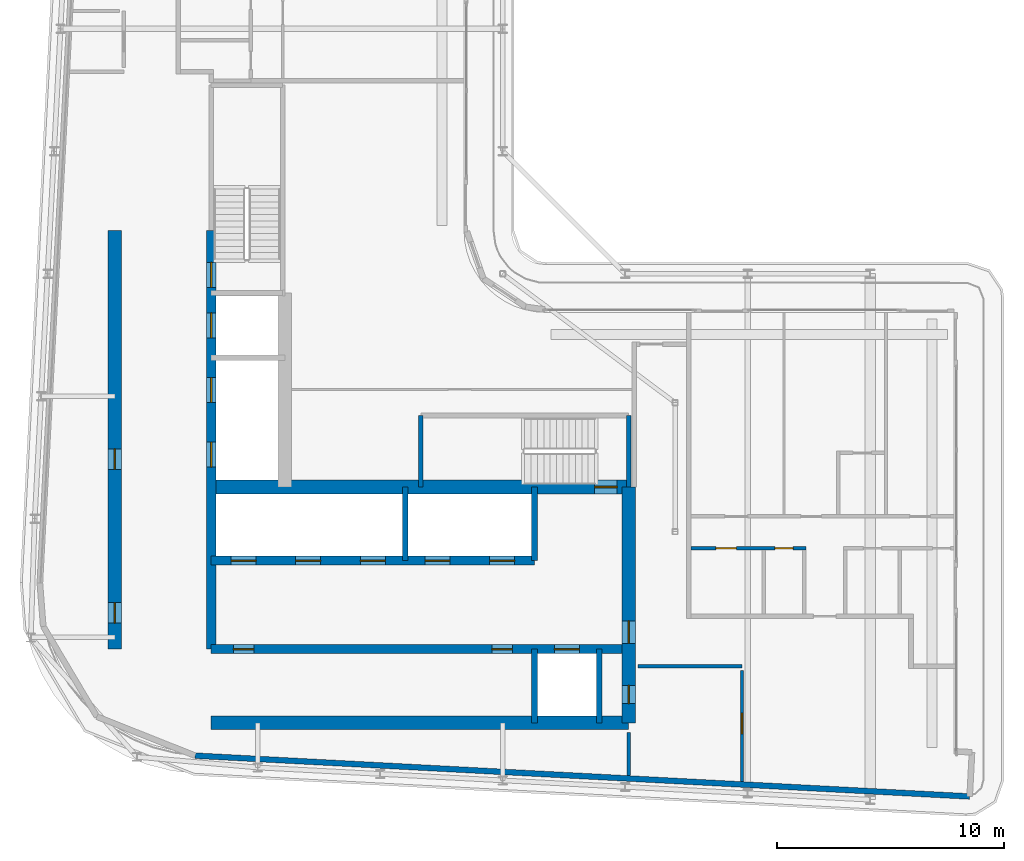
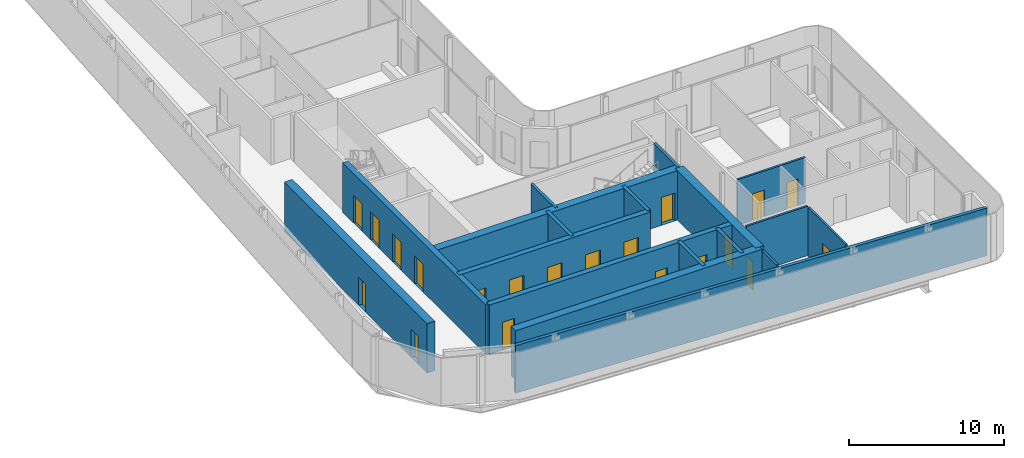
# One storey, part 11 of 21: 20 doors, 18 walls, 20 openings.
"""IFC4 building model written with IfcOpenShell, lengths in metres."""

from ifc_helpers import new_model, si_unit, direction, frame, frame_2d, origin, place, context, subcontext, project, spatial, rectangle, extrude, source, transform, mapped, material, layer, layer_set, type_object, element, fill, save


model = new_model("IFC4")

# Units and contexts
model_context = context("Model", 3, precision=1e-05, world=origin(), true_north=direction((0.0, 1.0)))
body_context = subcontext(model_context, "Body", "Model", "MODEL_VIEW")
ifc_project = project(units=[si_unit("LENGTHUNIT", "METRE"), si_unit("AREAUNIT", "SQUARE_METRE"), si_unit("VOLUMEUNIT", "CUBIC_METRE"), si_unit("PLANEANGLEUNIT", "RADIAN"), si_unit("MASSUNIT", "GRAM", prefix="KILO")], contexts=[model_context])

# Site, building, storey
site_placement = place(None, origin())
site = spatial("IfcSite", under=ifc_project, at=site_placement, CompositionType="ELEMENT")
building_placement = place(site_placement, origin())
building = spatial("IfcBuilding", under=site, at=building_placement, Name="Kheshtan School and Residences Tower", CompositionType="ELEMENT")
storey_placement = place(building_placement, frame((0.0, 0.0, 290.300048828125)))
storey = spatial("IfcBuildingStorey", under=building, at=storey_placement, Name="L68", CompositionType="ELEMENT", Elevation=290.300048828125)

# Wall, openings, doors
ifc_material_1 = material(Name="Concrete C50/60", Category="concrete")
ifc_layer_1 = layer(ifc_material_1, 0.39990234375)
ifc_layer_set_1 = layer_set([ifc_layer_1], Name="Core wall 400 Concrete C50/60")
wall_type_1 = type_object("IfcWallType", Name="Core wall 400 Concrete C50/60", PredefinedType="SHEAR", material=ifc_layer_set_1)
wall_1_placement = place(storey_placement, frame((34.75, 29.050048828125, 0.0), z_axis=(0.0, 0.0, 1.0), x_axis=(1.0, 0.0, 0.0)))
wall_1 = element("IfcWall", 1, at=wall_1_placement, inside=storey, type_object=wall_type_1, Name="Core wall CW-HALL-S1", PredefinedType="SHEAR", context=body_context, shape_type="SweptSolid", body=[
    extrude(rectangle(XDim=18.39990234375, YDim=0.39990234375, at=frame_2d((9.199951171875, 0.0))), origin(), (0.0, 0.0, 1.0), 3.89990234375),
])
opening_1_placement = place(wall_1_placement, frame((15.125, 0.0, 0.0)))
opening_1 = element("IfcOpeningElement", 2, at=opening_1_placement, cuts=wall_1, Name="Opening LD", PredefinedType="OPENING", context=body_context, shape_type="SweptSolid", body=[
    extrude(rectangle(XDim=1.10009765625, YDim=2.199951171875, at=frame_2d((0.550048828125, 1.10009765625))), frame((0.0, 0.2099609375, 0.0), z_axis=(0.0, -1.0, 0.0), x_axis=(1.0, 0.0, 0.0)), (0.0, 0.0, 1.0), 0.419921875),
])
opening_2_placement = place(wall_1_placement, frame((0.97509765625, 0.0, 0.0)))
opening_2 = element("IfcOpeningElement", 3, at=opening_2_placement, cuts=wall_1, Name="Opening SR90", PredefinedType="OPENING", context=body_context, shape_type="SweptSolid", body=[
    extrude(rectangle(XDim=0.89990234375, YDim=2.199951171875, at=frame_2d((0.449951171875, 1.10009765625))), frame((0.0, 0.2099609375, 0.0), z_axis=(0.0, -1.0, 0.0), x_axis=(1.0, 0.0, 0.0)), (0.0, 0.0, 1.0), 0.419921875),
])
opening_3_placement = place(wall_1_placement, frame((12.375, 0.0, 0.0)))
opening_3 = element("IfcOpeningElement", 4, at=opening_3_placement, cuts=wall_1, Name="Opening SR90", PredefinedType="OPENING", context=body_context, shape_type="SweptSolid", body=[
    extrude(rectangle(XDim=0.89990234375, YDim=2.199951171875, at=frame_2d((0.449951171875, 1.10009765625))), frame((0.0, 0.2099609375, 0.0), z_axis=(0.0, -1.0, 0.0), x_axis=(1.0, 0.0, 0.0)), (0.0, 0.0, 1.0), 0.419921875),
])
ifc_material_2 = material(Name="Stainless steel door leaves", Category="steel")
door_type_1 = type_object("IfcDoorType", Name="Lift landing door 1100", OperationType="SLIDING_TO_LEFT", PredefinedType="DOOR", material=ifc_material_2)
shared_shape_1 = source(origin(), body_context, "Body", "SweptSolid", [
    extrude(rectangle(XDim=1.10009765625, YDim=2.199951171875, at=frame_2d((0.550048828125, 1.10009765625))), frame((0.0, 0.02490234375, 0.0), z_axis=(0.0, -1.0, 0.0), x_axis=(1.0, 0.0, 0.0)), (0.0, 0.0, 1.0), 0.050048828125),
])
door_1_placement = place(opening_1_placement, origin())
door_1 = element("IfcDoor", 5, at=door_1_placement, inside=storey, type_object=door_type_1, Name="Lift FFL2 landing door", OperationType="SLIDING_TO_LEFT", OverallHeight=2.199951171875, OverallWidth=1.10009765625, PredefinedType="DOOR", context=body_context, shape_type="MappedRepresentation", body=[
    mapped(shared_shape_1, transform((0.0, 0.0, 0.0), x_axis=(1.0, 0.0, 0.0), y_axis=(0.0, 1.0, 0.0), z_axis=(0.0, 0.0, 1.0), scale=1.0)),
])
fill(opening_1, door_1)
ifc_material_3 = material(Name="Steel door leaf, galvanised", Category="steel")
door_type_2 = type_object("IfcDoorType", Name="Service room door 900 steel 90 min", OperationType="SINGLE_SWING_LEFT", PredefinedType="DOOR", material=ifc_material_3)
shared_shape_2 = source(origin(), body_context, "Body", "SweptSolid", [
    extrude(rectangle(XDim=0.89990234375, YDim=2.199951171875, at=frame_2d((0.449951171875, 1.10009765625))), frame((0.0, 0.02490234375, 0.0), z_axis=(0.0, -1.0, 0.0), x_axis=(1.0, 0.0, 0.0)), (0.0, 0.0, 1.0), 0.050048828125),
])
door_2_placement = place(opening_2_placement, origin())
door_2 = element("IfcDoor", 6, at=door_2_placement, inside=storey, type_object=door_type_2, Name="Service room door", OperationType="SINGLE_SWING_LEFT", OverallHeight=2.199951171875, OverallWidth=0.89990234375, PredefinedType="DOOR", context=body_context, shape_type="MappedRepresentation", body=[
    mapped(shared_shape_2, transform((0.0, 0.0, 0.0), x_axis=(1.0, 0.0, 0.0), y_axis=(0.0, 1.0, 0.0), z_axis=(0.0, 0.0, 1.0), scale=1.0)),
])
fill(opening_2, door_2)
door_3_placement = place(opening_3_placement, origin())
door_3 = element("IfcDoor", 7, at=door_3_placement, inside=storey, type_object=door_type_2, Name="Service room door", OperationType="SINGLE_SWING_LEFT", OverallHeight=2.199951171875, OverallWidth=0.89990234375, PredefinedType="DOOR", context=body_context, shape_type="MappedRepresentation", body=[
    mapped(shared_shape_2, transform((0.0, 0.0, 0.0), x_axis=(1.0, 0.0, 0.0), y_axis=(0.0, 1.0, 0.0), z_axis=(0.0, 0.0, 1.0), scale=1.0)),
])
fill(opening_3, door_3)

wall_2_placement = place(storey_placement, frame((34.75, 32.949951171875, 0.0), z_axis=(0.0, 0.0, 1.0), x_axis=(1.0, 0.0, 0.0)))
wall_2 = element("IfcWall", 8, at=wall_2_placement, inside=storey, type_object=wall_type_1, Name="Core wall CW-HALL-S2", PredefinedType="SHEAR", context=body_context, shape_type="SweptSolid", body=[
    extrude(rectangle(XDim=14.25, YDim=0.39990234375, at=frame_2d((7.125, 0.0))), origin(), (0.0, 0.0, 1.0), 3.89990234375),
])
opening_4_placement = place(wall_2_placement, frame((0.875, 0.0, 0.0)))
opening_4 = element("IfcOpeningElement", 9, at=opening_4_placement, cuts=wall_2, Name="Opening LD", PredefinedType="OPENING", context=body_context, shape_type="SweptSolid", body=[
    extrude(rectangle(XDim=1.10009765625, YDim=2.199951171875, at=frame_2d((0.550048828125, 1.10009765625))), frame((0.0, 0.2099609375, 0.0), z_axis=(0.0, -1.0, 0.0), x_axis=(1.0, 0.0, 0.0)), (0.0, 0.0, 1.0), 0.419921875),
])
opening_5_placement = place(wall_2_placement, frame((3.72509765625, 0.0, 0.0)))
opening_5 = element("IfcOpeningElement", 10, at=opening_5_placement, cuts=wall_2, Name="Opening LD", PredefinedType="OPENING", context=body_context, shape_type="SweptSolid", body=[
    extrude(rectangle(XDim=1.10009765625, YDim=2.199951171875, at=frame_2d((0.550048828125, 1.10009765625))), frame((0.0, 0.2099609375, 0.0), z_axis=(0.0, -1.0, 0.0), x_axis=(1.0, 0.0, 0.0)), (0.0, 0.0, 1.0), 0.419921875),
])
opening_6_placement = place(wall_2_placement, frame((6.574951171875, 0.0, 0.0)))
opening_6 = element("IfcOpeningElement", 11, at=opening_6_placement, cuts=wall_2, Name="Opening LD", PredefinedType="OPENING", context=body_context, shape_type="SweptSolid", body=[
    extrude(rectangle(XDim=1.10009765625, YDim=2.199951171875, at=frame_2d((0.550048828125, 1.10009765625))), frame((0.0, 0.2099609375, 0.0), z_axis=(0.0, -1.0, 0.0), x_axis=(1.0, 0.0, 0.0)), (0.0, 0.0, 1.0), 0.419921875),
])
opening_7_placement = place(wall_2_placement, frame((9.425048828125, 0.0, 0.0)))
opening_7 = element("IfcOpeningElement", 12, at=opening_7_placement, cuts=wall_2, Name="Opening LD", PredefinedType="OPENING", context=body_context, shape_type="SweptSolid", body=[
    extrude(rectangle(XDim=1.10009765625, YDim=2.199951171875, at=frame_2d((0.550048828125, 1.10009765625))), frame((0.0, 0.2099609375, 0.0), z_axis=(0.0, -1.0, 0.0), x_axis=(1.0, 0.0, 0.0)), (0.0, 0.0, 1.0), 0.419921875),
])
opening_8_placement = place(wall_2_placement, frame((12.27490234375, 0.0, 0.0)))
opening_8 = element("IfcOpeningElement", 13, at=opening_8_placement, cuts=wall_2, Name="Opening LD", PredefinedType="OPENING", context=body_context, shape_type="SweptSolid", body=[
    extrude(rectangle(XDim=1.10009765625, YDim=2.199951171875, at=frame_2d((0.550048828125, 1.10009765625))), frame((0.0, 0.2099609375, 0.0), z_axis=(0.0, -1.0, 0.0), x_axis=(1.0, 0.0, 0.0)), (0.0, 0.0, 1.0), 0.419921875),
])
door_4_placement = place(opening_4_placement, origin())
door_4 = element("IfcDoor", 14, at=door_4_placement, inside=storey, type_object=door_type_1, Name="Lift P12 landing door", OperationType="SLIDING_TO_LEFT", OverallHeight=2.199951171875, OverallWidth=1.10009765625, PredefinedType="DOOR", context=body_context, shape_type="MappedRepresentation", body=[
    mapped(shared_shape_1, transform((0.0, 0.0, 0.0), x_axis=(1.0, 0.0, 0.0), y_axis=(0.0, 1.0, 0.0), z_axis=(0.0, 0.0, 1.0), scale=1.0)),
])
fill(opening_4, door_4)
door_5_placement = place(opening_5_placement, origin())
door_5 = element("IfcDoor", 15, at=door_5_placement, inside=storey, type_object=door_type_1, Name="Lift P13 landing door", OperationType="SLIDING_TO_LEFT", OverallHeight=2.199951171875, OverallWidth=1.10009765625, PredefinedType="DOOR", context=body_context, shape_type="MappedRepresentation", body=[
    mapped(shared_shape_1, transform((0.0, 0.0, 0.0), x_axis=(1.0, 0.0, 0.0), y_axis=(0.0, 1.0, 0.0), z_axis=(0.0, 0.0, 1.0), scale=1.0)),
])
fill(opening_5, door_5)
door_6_placement = place(opening_6_placement, origin())
door_6 = element("IfcDoor", 16, at=door_6_placement, inside=storey, type_object=door_type_1, Name="Lift P14 landing door", OperationType="SLIDING_TO_LEFT", OverallHeight=2.199951171875, OverallWidth=1.10009765625, PredefinedType="DOOR", context=body_context, shape_type="MappedRepresentation", body=[
    mapped(shared_shape_1, transform((0.0, 0.0, 0.0), x_axis=(1.0, 0.0, 0.0), y_axis=(0.0, 1.0, 0.0), z_axis=(0.0, 0.0, 1.0), scale=1.0)),
])
fill(opening_6, door_6)
door_7_placement = place(opening_7_placement, origin())
door_7 = element("IfcDoor", 17, at=door_7_placement, inside=storey, type_object=door_type_1, Name="Lift P15 landing door", OperationType="SLIDING_TO_LEFT", OverallHeight=2.199951171875, OverallWidth=1.10009765625, PredefinedType="DOOR", context=body_context, shape_type="MappedRepresentation", body=[
    mapped(shared_shape_1, transform((0.0, 0.0, 0.0), x_axis=(1.0, 0.0, 0.0), y_axis=(0.0, 1.0, 0.0), z_axis=(0.0, 0.0, 1.0), scale=1.0)),
])
fill(opening_7, door_7)
door_8_placement = place(opening_8_placement, origin())
door_8 = element("IfcDoor", 18, at=door_8_placement, inside=storey, type_object=door_type_1, Name="Lift P16 landing door", OperationType="SLIDING_TO_LEFT", OverallHeight=2.199951171875, OverallWidth=1.10009765625, PredefinedType="DOOR", context=body_context, shape_type="MappedRepresentation", body=[
    mapped(shared_shape_1, transform((0.0, 0.0, 0.0), x_axis=(1.0, 0.0, 0.0), y_axis=(0.0, 1.0, 0.0), z_axis=(0.0, 0.0, 1.0), scale=1.0)),
])
fill(opening_8, door_8)

wall_3_placement = place(storey_placement, frame((34.75, 29.050048828125, 0.0), z_axis=(0.0, 0.0, 1.0), x_axis=(0.0, 1.0, 0.0)))
wall_3 = element("IfcWall", 19, at=wall_3_placement, inside=storey, type_object=wall_type_1, Name="Core wall CW-HALL-W1", PredefinedType="SHEAR", context=body_context, shape_type="SweptSolid", body=[
    extrude(rectangle(XDim=18.449951171875, YDim=0.39990234375, at=frame_2d((9.22509765625, 0.0))), origin(), (0.0, 0.0, 1.0), 3.89990234375),
])
opening_9_placement = place(wall_3_placement, frame((8.02490234375, 0.0, 0.0)))
opening_9 = element("IfcOpeningElement", 20, at=opening_9_placement, cuts=wall_3, Name="Opening LD", PredefinedType="OPENING", context=body_context, shape_type="SweptSolid", body=[
    extrude(rectangle(XDim=1.10009765625, YDim=2.199951171875, at=frame_2d((0.550048828125, 1.10009765625))), frame((0.0, 0.2099609375, 0.0), z_axis=(0.0, -1.0, 0.0), x_axis=(1.0, 0.0, 0.0)), (0.0, 0.0, 1.0), 0.419921875),
])
opening_10_placement = place(wall_3_placement, frame((10.875, 0.0, 0.0)))
opening_10 = element("IfcOpeningElement", 21, at=opening_10_placement, cuts=wall_3, Name="Opening LD", PredefinedType="OPENING", context=body_context, shape_type="SweptSolid", body=[
    extrude(rectangle(XDim=1.10009765625, YDim=2.199951171875, at=frame_2d((0.550048828125, 1.10009765625))), frame((0.0, 0.2099609375, 0.0), z_axis=(0.0, -1.0, 0.0), x_axis=(1.0, 0.0, 0.0)), (0.0, 0.0, 1.0), 0.419921875),
])
opening_11_placement = place(wall_3_placement, frame((13.72509765625, 0.0, 0.0)))
opening_11 = element("IfcOpeningElement", 22, at=opening_11_placement, cuts=wall_3, Name="Opening LD", PredefinedType="OPENING", context=body_context, shape_type="SweptSolid", body=[
    extrude(rectangle(XDim=1.10009765625, YDim=2.199951171875, at=frame_2d((0.550048828125, 1.10009765625))), frame((0.0, 0.2099609375, 0.0), z_axis=(0.0, -1.0, 0.0), x_axis=(1.0, 0.0, 0.0)), (0.0, 0.0, 1.0), 0.419921875),
])
opening_12_placement = place(wall_3_placement, frame((15.949951171875, 0.0, 0.0)))
opening_12 = element("IfcOpeningElement", 23, at=opening_12_placement, cuts=wall_3, Name="Opening ST2D", PredefinedType="OPENING", context=body_context, shape_type="SweptSolid", body=[
    extrude(rectangle(XDim=1.10009765625, YDim=2.199951171875, at=frame_2d((0.550048828125, 1.10009765625))), frame((0.0, 0.2099609375, 0.0), z_axis=(0.0, -1.0, 0.0), x_axis=(1.0, 0.0, 0.0)), (0.0, 0.0, 1.0), 0.419921875),
])
door_9_placement = place(opening_9_placement, origin())
door_9 = element("IfcDoor", 24, at=door_9_placement, inside=storey, type_object=door_type_1, Name="Lift SV1 landing door", OperationType="SLIDING_TO_LEFT", OverallHeight=2.199951171875, OverallWidth=1.10009765625, PredefinedType="DOOR", context=body_context, shape_type="MappedRepresentation", body=[
    mapped(shared_shape_1, transform((0.0, 0.0, 0.0), x_axis=(1.0, 0.0, 0.0), y_axis=(0.0, 1.0, 0.0), z_axis=(0.0, 0.0, 1.0), scale=1.0)),
])
fill(opening_9, door_9)
door_10_placement = place(opening_10_placement, origin())
door_10 = element("IfcDoor", 25, at=door_10_placement, inside=storey, type_object=door_type_1, Name="Lift SV2 landing door", OperationType="SLIDING_TO_LEFT", OverallHeight=2.199951171875, OverallWidth=1.10009765625, PredefinedType="DOOR", context=body_context, shape_type="MappedRepresentation", body=[
    mapped(shared_shape_1, transform((0.0, 0.0, 0.0), x_axis=(1.0, 0.0, 0.0), y_axis=(0.0, 1.0, 0.0), z_axis=(0.0, 0.0, 1.0), scale=1.0)),
])
fill(opening_10, door_10)
door_11_placement = place(opening_11_placement, origin())
door_11 = element("IfcDoor", 26, at=door_11_placement, inside=storey, type_object=door_type_1, Name="Lift FFL1 landing door", OperationType="SLIDING_TO_LEFT", OverallHeight=2.199951171875, OverallWidth=1.10009765625, PredefinedType="DOOR", context=body_context, shape_type="MappedRepresentation", body=[
    mapped(shared_shape_1, transform((0.0, 0.0, 0.0), x_axis=(1.0, 0.0, 0.0), y_axis=(0.0, 1.0, 0.0), z_axis=(0.0, 0.0, 1.0), scale=1.0)),
])
fill(opening_11, door_11)
door_type_3 = type_object("IfcDoorType", Name="Stair door 1100 steel 90 min", OperationType="SINGLE_SWING_LEFT", PredefinedType="DOOR", material=ifc_material_3)
shared_shape_3 = source(origin(), body_context, "Body", "SweptSolid", [
    extrude(rectangle(XDim=1.10009765625, YDim=2.199951171875, at=frame_2d((0.550048828125, 1.10009765625))), frame((0.0, 0.02490234375, 0.0), z_axis=(0.0, -1.0, 0.0), x_axis=(1.0, 0.0, 0.0)), (0.0, 0.0, 1.0), 0.050048828125),
])
door_12_placement = place(opening_12_placement, origin())
door_12 = element("IfcDoor", 27, at=door_12_placement, inside=storey, type_object=door_type_3, Name="Stair ST2 door", OperationType="SINGLE_SWING_RIGHT", OverallHeight=2.199951171875, OverallWidth=1.10009765625, PredefinedType="DOOR", context=body_context, shape_type="MappedRepresentation", body=[
    mapped(shared_shape_3, transform((0.0, 0.0, 0.0), x_axis=(1.0, 0.0, 0.0), y_axis=(0.0, 1.0, 0.0), z_axis=(0.0, 0.0, 1.0), scale=1.0)),
])
fill(opening_12, door_12)

# Wall
ifc_material_4 = material(Name="Concrete C60/75", Category="concrete")
ifc_layer_2 = layer(ifc_material_4, 0.60009765625)
ifc_layer_set_2 = layer_set([ifc_layer_2], Name="Core wall 600 Concrete C60/75")
wall_type_2 = type_object("IfcWallType", Name="Core wall 600 Concrete C60/75", PredefinedType="SHEAR", material=ifc_layer_set_2)
wall_4_placement = place(storey_placement, frame((34.75, 25.800048828125, 0.0), z_axis=(0.0, 0.0, 1.0), x_axis=(1.0, 0.0, 0.0)))
element("IfcWall", 28, at=wall_4_placement, inside=storey, type_object=wall_type_2, Name="Core wall CW-REAR-S", PredefinedType="SHEAR", context=body_context, shape_type="SweptSolid", body=[
    extrude(rectangle(XDim=18.39990234375, YDim=0.60009765625, at=frame_2d((9.199951171875, 0.0))), origin(), (0.0, 0.0, 1.0), 3.89990234375),
])

# Wall, opening, door
wall_5_placement = place(storey_placement, frame((34.75, 36.199951171875, 0.0), z_axis=(0.0, 0.0, 1.0), x_axis=(1.0, 0.0, 0.0)))
wall_5 = element("IfcWall", 29, at=wall_5_placement, inside=storey, type_object=wall_type_2, Name="Core wall CW-FRONT-S", PredefinedType="SHEAR", context=body_context, shape_type="SweptSolid", body=[
    extrude(rectangle(XDim=18.39990234375, YDim=0.60009765625, at=frame_2d((9.199951171875, 0.0))), origin(), (0.0, 0.0, 1.0), 3.89990234375),
])
opening_13_placement = place(wall_5_placement, frame((16.89990234375, 0.0, 0.0)))
opening_13 = element("IfcOpeningElement", 30, at=opening_13_placement, cuts=wall_5, Name="Opening ST1D", PredefinedType="OPENING", context=body_context, shape_type="SweptSolid", body=[
    extrude(rectangle(XDim=1.0, YDim=2.199951171875, at=frame_2d((0.5, 1.10009765625))), frame((0.0, 0.31005859375, 0.0), z_axis=(0.0, -1.0, 0.0), x_axis=(1.0, 0.0, 0.0)), (0.0, 0.0, 1.0), 0.6201171875),
])
shared_shape_4 = source(origin(), body_context, "Body", "SweptSolid", [
    extrude(rectangle(XDim=1.0, YDim=2.199951171875, at=frame_2d((0.5, 1.10009765625))), frame((0.0, 0.02490234375, 0.0), z_axis=(0.0, -1.0, 0.0), x_axis=(1.0, 0.0, 0.0)), (0.0, 0.0, 1.0), 0.050048828125),
])
door_13_placement = place(opening_13_placement, origin())
door_13 = element("IfcDoor", 31, at=door_13_placement, inside=storey, type_object=door_type_3, Name="Stair ST1 door", OperationType="SINGLE_SWING_RIGHT", OverallHeight=2.199951171875, OverallWidth=1.0, PredefinedType="DOOR", context=body_context, shape_type="MappedRepresentation", body=[
    mapped(shared_shape_4, transform((0.0, 0.0, 0.0), x_axis=(1.0, 0.0, 0.0), y_axis=(0.0, 1.0, 0.0), z_axis=(0.0, 0.0, 1.0), scale=1.0)),
])
fill(opening_13, door_13)

# Wall, openings, doors
wall_6_placement = place(storey_placement, frame((30.5, 29.050048828125, 0.0), z_axis=(0.0, 0.0, 1.0), x_axis=(0.0, 1.0, 0.0)))
wall_6 = element("IfcWall", 32, at=wall_6_placement, inside=storey, type_object=wall_type_2, Name="Core wall CW-REAR-W", PredefinedType="SHEAR", context=body_context, shape_type="SweptSolid", body=[
    extrude(rectangle(XDim=18.449951171875, YDim=0.60009765625, at=frame_2d((9.22509765625, 0.0))), origin(), (0.0, 0.0, 1.0), 3.89990234375),
])
opening_14_placement = place(wall_6_placement, frame((1.14697265625, 0.0, 0.0)))
opening_14 = element("IfcOpeningElement", 33, at=opening_14_placement, cuts=wall_6, Name="Opening SR90", PredefinedType="OPENING", context=body_context, shape_type="SweptSolid", body=[
    extrude(rectangle(XDim=0.89990234375, YDim=2.199951171875, at=frame_2d((0.449951171875, 1.10009765625))), frame((0.0, 0.31005859375, 0.0), z_axis=(0.0, -1.0, 0.0), x_axis=(1.0, 0.0, 0.0)), (0.0, 0.0, 1.0), 0.6201171875),
])
opening_15_placement = place(wall_6_placement, frame((7.925048828125, 0.0, 0.0)))
opening_15 = element("IfcOpeningElement", 34, at=opening_15_placement, cuts=wall_6, Name="Opening SR90", PredefinedType="OPENING", context=body_context, shape_type="SweptSolid", body=[
    extrude(rectangle(XDim=0.89990234375, YDim=2.199951171875, at=frame_2d((0.449951171875, 1.10009765625))), frame((0.0, 0.31005859375, 0.0), z_axis=(0.0, -1.0, 0.0), x_axis=(1.0, 0.0, 0.0)), (0.0, 0.0, 1.0), 0.6201171875),
])
door_14_placement = place(opening_14_placement, origin())
door_14 = element("IfcDoor", 35, at=door_14_placement, inside=storey, type_object=door_type_2, Name="Service room door", OperationType="SINGLE_SWING_LEFT", OverallHeight=2.199951171875, OverallWidth=0.89990234375, PredefinedType="DOOR", context=body_context, shape_type="MappedRepresentation", body=[
    mapped(shared_shape_2, transform((0.0, 0.0, 0.0), x_axis=(1.0, 0.0, 0.0), y_axis=(0.0, 1.0, 0.0), z_axis=(0.0, 0.0, 1.0), scale=1.0)),
])
fill(opening_14, door_14)
door_15_placement = place(opening_15_placement, origin())
door_15 = element("IfcDoor", 36, at=door_15_placement, inside=storey, type_object=door_type_2, Name="Service room door", OperationType="SINGLE_SWING_LEFT", OverallHeight=2.199951171875, OverallWidth=0.89990234375, PredefinedType="DOOR", context=body_context, shape_type="MappedRepresentation", body=[
    mapped(shared_shape_2, transform((0.0, 0.0, 0.0), x_axis=(1.0, 0.0, 0.0), y_axis=(0.0, 1.0, 0.0), z_axis=(0.0, 0.0, 1.0), scale=1.0)),
])
fill(opening_15, door_15)

wall_7_placement = place(storey_placement, frame((53.14990234375, 25.800048828125, 0.0), z_axis=(0.0, 0.0, 1.0), x_axis=(0.0, 1.0, 0.0)))
wall_7 = element("IfcWall", 37, at=wall_7_placement, inside=storey, type_object=wall_type_2, Name="Core wall CW-EAST", PredefinedType="SHEAR", context=body_context, shape_type="SweptSolid", body=[
    extrude(rectangle(XDim=10.39990234375, YDim=0.60009765625, at=frame_2d((5.199951171875, 0.0))), origin(), (0.0, 0.0, 1.0), 3.89990234375),
])
opening_16_placement = place(wall_7_placement, frame((0.85009765625, 0.0, 0.0)))
opening_16 = element("IfcOpeningElement", 38, at=opening_16_placement, cuts=wall_7, Name="Opening SR80", PredefinedType="OPENING", context=body_context, shape_type="SweptSolid", body=[
    extrude(rectangle(XDim=0.800048828125, YDim=2.199951171875, at=frame_2d((0.39990234375, 1.10009765625))), frame((0.0, 0.31005859375, 0.0), z_axis=(0.0, -1.0, 0.0), x_axis=(1.0, 0.0, 0.0)), (0.0, 0.0, 1.0), 0.6201171875),
])
opening_17_placement = place(wall_7_placement, frame((3.5, 0.0, 0.0)))
opening_17 = element("IfcOpeningElement", 39, at=opening_17_placement, cuts=wall_7, Name="Opening SD91", PredefinedType="OPENING", context=body_context, shape_type="SweptSolid", body=[
    extrude(rectangle(XDim=1.0, YDim=2.199951171875, at=frame_2d((0.5, 1.10009765625))), frame((0.0, 0.31005859375, 0.0), z_axis=(0.0, -1.0, 0.0), x_axis=(1.0, 0.0, 0.0)), (0.0, 0.0, 1.0), 0.6201171875),
])
door_type_4 = type_object("IfcDoorType", Name="Service room door 800 steel 90 min", OperationType="SINGLE_SWING_LEFT", PredefinedType="DOOR", material=ifc_material_3)
shared_shape_5 = source(origin(), body_context, "Body", "SweptSolid", [
    extrude(rectangle(XDim=0.800048828125, YDim=2.199951171875, at=frame_2d((0.39990234375, 1.10009765625))), frame((0.0, 0.02490234375, 0.0), z_axis=(0.0, -1.0, 0.0), x_axis=(1.0, 0.0, 0.0)), (0.0, 0.0, 1.0), 0.050048828125),
])
door_16_placement = place(opening_16_placement, origin())
door_16 = element("IfcDoor", 40, at=door_16_placement, inside=storey, type_object=door_type_4, Name="Service room door", OperationType="SINGLE_SWING_LEFT", OverallHeight=2.199951171875, OverallWidth=0.800048828125, PredefinedType="DOOR", context=body_context, shape_type="MappedRepresentation", body=[
    mapped(shared_shape_5, transform((0.0, 0.0, 0.0), x_axis=(1.0, 0.0, 0.0), y_axis=(0.0, 1.0, 0.0), z_axis=(0.0, 0.0, 1.0), scale=1.0)),
])
fill(opening_16, door_16)
door_type_5 = type_object("IfcDoorType", Name="Firefighting lobby door 1000 steel 90 min", OperationType="SINGLE_SWING_LEFT", PredefinedType="DOOR", material=ifc_material_3)
shared_shape_6 = source(origin(), body_context, "Body", "SweptSolid", [
    extrude(rectangle(XDim=1.0, YDim=2.199951171875, at=frame_2d((0.5, 1.10009765625))), frame((0.0, 0.02490234375, 0.0), z_axis=(0.0, -1.0, 0.0), x_axis=(1.0, 0.0, 0.0)), (0.0, 0.0, 1.0), 0.050048828125),
])
door_17_placement = place(opening_17_placement, origin())
door_17 = element("IfcDoor", 41, at=door_17_placement, inside=storey, type_object=door_type_5, Name="Firefighting lobby door", OperationType="SINGLE_SWING_LEFT", OverallHeight=2.199951171875, OverallWidth=1.0, PredefinedType="DOOR", context=body_context, shape_type="MappedRepresentation", body=[
    mapped(shared_shape_6, transform((0.0, 0.0, 0.0), x_axis=(1.0, 0.0, 0.0), y_axis=(0.0, 1.0, 0.0), z_axis=(0.0, 0.0, 1.0), scale=1.0)),
])
fill(opening_17, door_17)

# Walls
ifc_material_5 = material(Name="Concrete C40/50 with ceramic cladding and mineral wool insulation", Category="concrete")
ifc_layer_3 = layer(ifc_material_5, 0.25)
ifc_layer_set_3 = layer_set([ifc_layer_3], Name="External wall 250 ceramic clad")
wall_type_3 = type_object("IfcWallType", Name="External wall 250 ceramic clad", PredefinedType="SOLIDWALL", material=ifc_layer_set_3)
wall_8_placement = place(storey_placement, frame((68.18603515625, 22.554931640625, 0.0), z_axis=(0.0, 0.0, 1.0), x_axis=(-0.998616468095, 0.052584690257, 0.0)))
element("IfcWall", 42, at=wall_8_placement, inside=storey, type_object=wall_type_3, Name="External wall L68 16", PredefinedType="SOLIDWALL", context=body_context, shape_type="SweptSolid", body=[
    extrude(rectangle(XDim=34.1943359375, YDim=0.25, at=frame_2d((17.09716796875, 0.0))), origin(), (0.0, 0.0, 1.0), 3.75),
])
ifc_material_6 = material(Name="Fire-board shaft wall system")
ifc_layer_4 = layer(ifc_material_6, 0.14990234375)
ifc_layer_set_4 = layer_set([ifc_layer_4], Name="Service room wall 150")
wall_type_4 = type_object("IfcWallType", Name="Service room wall 150", PredefinedType="PARTITIONING", material=ifc_layer_set_4)
wall_9_placement = place(storey_placement, frame((53.570068359375, 28.300048828125, 0.0), z_axis=(0.0, 0.0, 1.0), x_axis=(1.0, 0.0, 0.0)))
element("IfcWall", 43, at=wall_9_placement, inside=storey, type_object=wall_type_4, Name="Service room wall", PredefinedType="PARTITIONING", context=body_context, shape_type="SweptSolid", body=[
    extrude(rectangle(XDim=4.579833984375, YDim=0.14990234375, at=frame_2d((2.2900390625, 0.0))), origin(), (0.0, 0.0, 1.0), 3.89990234375),
])
wall_10_placement = place(storey_placement, frame((53.14990234375, 23.47509765625, 0.0), z_axis=(0.0, 0.0, 1.0), x_axis=(0.0, 1.0, 0.0)))
element("IfcWall", 44, at=wall_10_placement, inside=storey, type_object=wall_type_4, Name="Service room wall", PredefinedType="PARTITIONING", context=body_context, shape_type="SweptSolid", body=[
    extrude(rectangle(XDim=1.90478515625, YDim=0.14990234375, at=frame_2d((0.952392578125, 0.0))), origin(), (0.0, 0.0, 1.0), 3.89990234375),
])

# Wall, opening, door
wall_11_placement = place(storey_placement, frame((58.14990234375, 23.2109375, 0.0), z_axis=(0.0, 0.0, 1.0), x_axis=(0.0, 1.0, 0.0)))
wall_11 = element("IfcWall", 45, at=wall_11_placement, inside=storey, type_object=wall_type_4, Name="Service room wall", PredefinedType="PARTITIONING", context=body_context, shape_type="SweptSolid", body=[
    extrude(rectangle(XDim=4.89404296875, YDim=0.14990234375, at=frame_2d((2.447021484375, 0.0))), origin(), (0.0, 0.0, 1.0), 3.89990234375),
])
opening_18_placement = place(wall_11_placement, frame((2.10888671875, 0.0, 0.0)))
opening_18 = element("IfcOpeningElement", 46, at=opening_18_placement, cuts=wall_11, Name="Opening SR90", PredefinedType="OPENING", context=body_context, shape_type="SweptSolid", body=[
    extrude(rectangle(XDim=0.89990234375, YDim=2.199951171875, at=frame_2d((0.449951171875, 1.10009765625))), frame((0.0, 0.0849609375, 0.0), z_axis=(0.0, -1.0, 0.0), x_axis=(1.0, 0.0, 0.0)), (0.0, 0.0, 1.0), 0.169921875),
])
door_18_placement = place(opening_18_placement, origin())
door_18 = element("IfcDoor", 47, at=door_18_placement, inside=storey, type_object=door_type_2, Name="Service room door", OperationType="SINGLE_SWING_LEFT", OverallHeight=2.199951171875, OverallWidth=0.89990234375, PredefinedType="DOOR", context=body_context, shape_type="MappedRepresentation", body=[
    mapped(shared_shape_2, transform((0.0, 0.0, 0.0), x_axis=(1.0, 0.0, 0.0), y_axis=(0.0, 1.0, 0.0), z_axis=(0.0, 0.0, 1.0), scale=1.0)),
])
fill(opening_18, door_18)

# Walls
ifc_layer_5 = layer(ifc_material_6, 0.25)
ifc_layer_set_5 = layer_set([ifc_layer_5], Name="Shaft lining wall 250")
wall_type_5 = type_object("IfcWallType", Name="Shaft lining wall 250", PredefinedType="PARTITIONING", material=ifc_layer_set_5)
for number, where, z_axis, x_axis, name in (
    (48, (43.300048828125, 32.949951171875, 0.0), (0.0, 0.0, 1.0), (0.0, 1.0, 0.0), "Shaft lining wall"),
    (49, (49.0, 25.800048828125, 0.0), (0.0, 0.0, 1.0), (0.0, 1.0, 0.0), "Shaft lining wall"),
    (50, (49.0, 32.949951171875, 0.0), (0.0, 0.0, 1.0), (0.0, 1.0, 0.0), "Shaft lining wall"),
    (51, (51.85009765625, 25.800048828125, 0.0), (0.0, 0.0, 1.0), (0.0, 1.0, 0.0), "Shaft lining wall"),
):
    element("IfcWall", number, at=place(storey_placement, frame(where, z_axis=z_axis, x_axis=x_axis)), inside=storey, type_object=wall_type_5, Name=name, PredefinedType="PARTITIONING", context=body_context, shape_type="SweptSolid", body=[
        extrude(rectangle(XDim=3.25, YDim=0.25, at=frame_2d((1.625, 0.0))), origin(), (0.0, 0.0, 1.0), 3.89990234375),
    ])
ifc_material_7 = material(Name="Concrete C40/50", Category="concrete")
ifc_layer_6 = layer(ifc_material_7, 0.199951171875)
ifc_layer_set_6 = layer_set([ifc_layer_6], Name="Stair enclosure wall 200 Concrete C40/50")
wall_type_6 = type_object("IfcWallType", Name="Stair enclosure wall 200 Concrete C40/50", PredefinedType="SHEAR", material=ifc_layer_set_6)
for number, where, z_axis, x_axis, name in (
    (52, (43.989990234375, 36.199951171875, 0.0), (0.0, 0.0, 1.0), (0.0, 1.0, 0.0), "Stair enclosure wall ST1"),
    (53, (53.14990234375, 36.199951171875, 0.0), (0.0, 0.0, 1.0), (0.0, 1.0, 0.0), "Stair enclosure wall ST1"),
):
    element("IfcWall", number, at=place(storey_placement, frame(where, z_axis=z_axis, x_axis=x_axis)), inside=storey, type_object=wall_type_6, Name=name, PredefinedType="SHEAR", context=body_context, shape_type="SweptSolid", body=[
        extrude(rectangle(XDim=3.150146484375, YDim=0.199951171875, at=frame_2d((1.5751953125, 0.0))), origin(), (0.0, 0.0, 1.0), 3.89990234375),
    ])

# Wall, openings, doors
ifc_material_8 = material(Name="Moisture-resistant gypsum board on steel studs", Category="steel")
ifc_layer_7 = layer(ifc_material_8, 0.14990234375)
ifc_layer_set_7 = layer_set([ifc_layer_7], Name="Wet-room partition 150")
wall_type_7 = type_object("IfcWallType", Name="Wet-room partition 150", PredefinedType="PARTITIONING", material=ifc_layer_set_7)
wall_12_placement = place(storey_placement, frame((55.89990234375, 33.5, 0.0), z_axis=(0.0, 0.0, 1.0), x_axis=(1.0, 0.0, 0.0)))
wall_12 = element("IfcWall", 54, at=wall_12_placement, inside=storey, type_object=wall_type_7, Name="Partition L68-044", PredefinedType="PARTITIONING", context=body_context, shape_type="SweptSolid", body=[
    extrude(rectangle(XDim=5.0751953125, YDim=0.14990234375, at=frame_2d((2.53759765625, 0.0))), origin(), (0.0, 0.0, 1.0), 3.599853515625),
])
opening_19_placement = place(wall_12_placement, frame((1.10009765625, 0.0, 0.0)))
opening_19 = element("IfcOpeningElement", 55, at=opening_19_placement, cuts=wall_12, Name="Opening D68-006", PredefinedType="OPENING", context=body_context, shape_type="SweptSolid", body=[
    extrude(rectangle(XDim=0.89990234375, YDim=2.10009765625, at=frame_2d((0.449951171875, 1.050048828125))), frame((0.0, 0.0849609375, 0.0), z_axis=(0.0, -1.0, 0.0), x_axis=(1.0, 0.0, 0.0)), (0.0, 0.0, 1.0), 0.169921875),
])
opening_20_placement = place(wall_12_placement, frame((3.699951171875, 0.0, 0.0)))
opening_20 = element("IfcOpeningElement", 56, at=opening_20_placement, cuts=wall_12, Name="Opening D68-009", PredefinedType="OPENING", context=body_context, shape_type="SweptSolid", body=[
    extrude(rectangle(XDim=0.800048828125, YDim=2.10009765625, at=frame_2d((0.39990234375, 1.050048828125))), frame((0.0, 0.0849609375, 0.0), z_axis=(0.0, -1.0, 0.0), x_axis=(1.0, 0.0, 0.0)), (0.0, 0.0, 1.0), 0.169921875),
])
ifc_material_9 = material(Name="Veneered timber door leaf", Category="wood")
door_type_6 = type_object("IfcDoorType", Name="Door 800 x 2100", OperationType="SINGLE_SWING_LEFT", PredefinedType="DOOR", material=ifc_material_9)
shared_shape_7 = source(origin(), body_context, "Body", "SweptSolid", [
    extrude(rectangle(XDim=0.800048828125, YDim=2.10009765625, at=frame_2d((0.39990234375, 1.050048828125))), frame((0.0, 0.02490234375, 0.0), z_axis=(0.0, -1.0, 0.0), x_axis=(1.0, 0.0, 0.0)), (0.0, 0.0, 1.0), 0.050048828125),
])
door_19_placement = place(opening_20_placement, origin())
door_19 = element("IfcDoor", 57, at=door_19_placement, inside=storey, type_object=door_type_6, Name="Door D68-009", OperationType="SINGLE_SWING_RIGHT", OverallHeight=2.10009765625, OverallWidth=0.800048828125, PredefinedType="DOOR", context=body_context, shape_type="MappedRepresentation", body=[
    mapped(shared_shape_7, transform((0.0, 0.0, 0.0), x_axis=(1.0, 0.0, 0.0), y_axis=(0.0, 1.0, 0.0), z_axis=(0.0, 0.0, 1.0), scale=1.0)),
])
fill(opening_20, door_19)
door_type_7 = type_object("IfcDoorType", Name="Door 900 x 2100", OperationType="SINGLE_SWING_LEFT", PredefinedType="DOOR", material=ifc_material_9)
shared_shape_8 = source(origin(), body_context, "Body", "SweptSolid", [
    extrude(rectangle(XDim=0.89990234375, YDim=2.10009765625, at=frame_2d((0.449951171875, 1.050048828125))), frame((0.0, 0.02490234375, 0.0), z_axis=(0.0, -1.0, 0.0), x_axis=(1.0, 0.0, 0.0)), (0.0, 0.0, 1.0), 0.050048828125),
])
door_20_placement = place(opening_19_placement, origin())
door_20 = element("IfcDoor", 58, at=door_20_placement, inside=storey, type_object=door_type_7, Name="Door D68-006", OperationType="SINGLE_SWING_RIGHT", OverallHeight=2.10009765625, OverallWidth=0.89990234375, PredefinedType="DOOR", context=body_context, shape_type="MappedRepresentation", body=[
    mapped(shared_shape_8, transform((0.0, 0.0, 0.0), x_axis=(1.0, 0.0, 0.0), y_axis=(0.0, 1.0, 0.0), z_axis=(0.0, 0.0, 1.0), scale=1.0)),
])
fill(opening_19, door_20)

save(model, "model.ifc")
